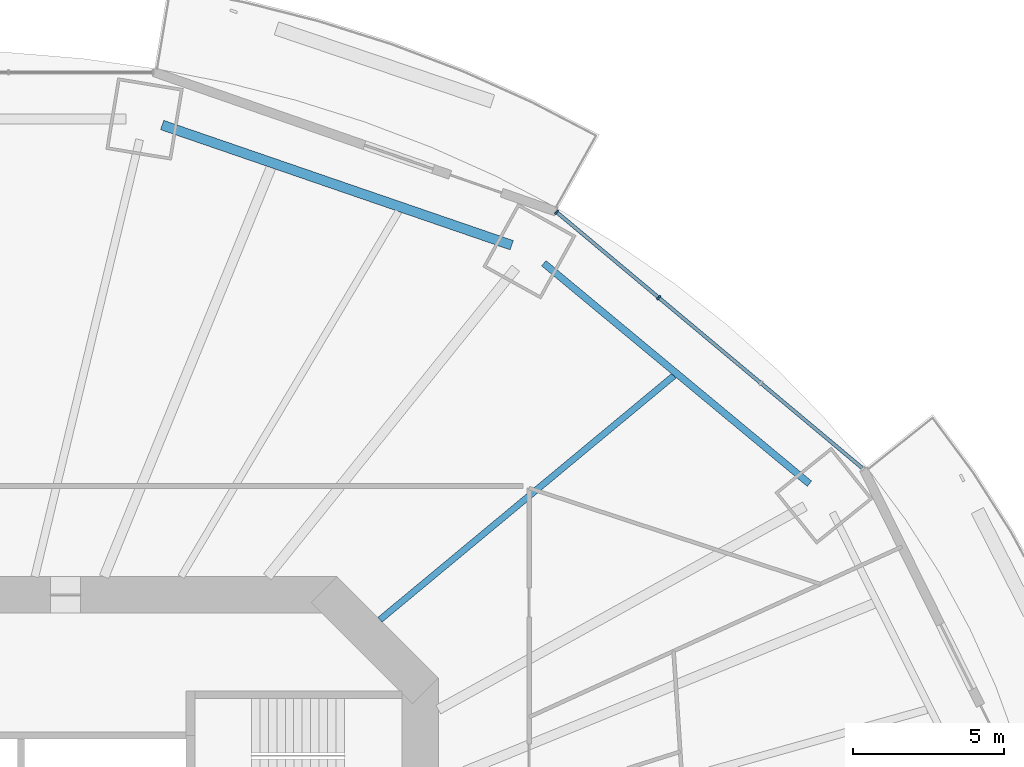
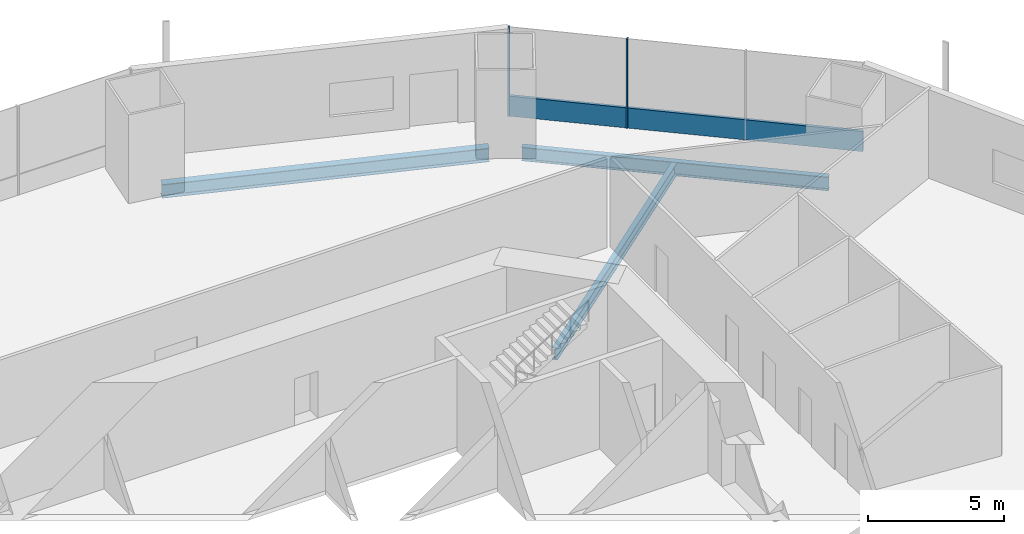
# One storey, part 10 of 23: 3 beams, 3 members, 1 element without a shape of its own.
"""IFC4 building model written with IfcOpenShell, lengths in metres."""

from ifc_helpers import new_model, si_unit, direction, frame, origin, origin_2d, place, context, subcontext, project, spatial, rectangle, i_section, extrude, material, material_profile, profile_set, type_object, element, aggregate, save


model = new_model("IFC4")

# Units and contexts
model_context = context("Model", 3, precision=1e-05, world=origin(), true_north=direction((0.0, 1.0)))
body_context = subcontext(model_context, "Body", "Model", "MODEL_VIEW")
ifc_project = project(units=[si_unit("LENGTHUNIT", "METRE"), si_unit("AREAUNIT", "SQUARE_METRE"), si_unit("VOLUMEUNIT", "CUBIC_METRE"), si_unit("PLANEANGLEUNIT", "RADIAN"), si_unit("MASSUNIT", "GRAM", prefix="KILO")], contexts=[model_context])

# Site, building, storey
site_placement = place(None, origin())
site = spatial("IfcSite", under=ifc_project, at=site_placement, CompositionType="ELEMENT")
building_placement = place(site_placement, origin())
building = spatial("IfcBuilding", under=site, at=building_placement, Name="Marenthal Gate Tower", CompositionType="ELEMENT")
storey_placement = place(building_placement, frame((0.0, 0.0, 37.14990234375)))
storey = spatial("IfcBuildingStorey", under=building, at=storey_placement, Name="L05", CompositionType="ELEMENT", Elevation=37.14990234375)

# Curtain wall, members
ifc_material_1 = material(Name="Aluminium and glass", Category="aluminium")
curtain_wall_type = type_object("IfcCurtainWallType", Name="Curtain wall typical low", PredefinedType="NOTDEFINED", material=ifc_material_1)
curtain_wall_placement = place(storey_placement, origin())
curtain_wall = element("IfcCurtainWall", 1, at=curtain_wall_placement, inside=storey, type_object=curtain_wall_type, Name="Curtain wall L05 bay 2", PredefinedType="NOTDEFINED")
ifc_material_2 = material(Name="Aluminium", Category="aluminium")
ifc_material_profile_1 = material_profile(ifc_material_2, rectangle(XDim=0.159912109375, YDim=0.06005859375, at=origin_2d()), Name="60x160 aluminium mullion")
ifc_profile_set_1 = profile_set([ifc_material_profile_1], Name="Aluminium")
member_type_1 = type_object("IfcMemberType", Name="Mullion 60x160 typical low", PredefinedType="MULLION", material=ifc_profile_set_1)
member_1_placement = place(storey_placement, frame((23.888671875, 22.829345703125, 0.0), z_axis=(0.0, 0.0, 1.0), x_axis=(-0.641982192245, -0.76671954771, 0.0)))
member_1 = element("IfcMember", 2, at=member_1_placement, type_object=member_type_1, Name="Mullion L05 bay 2.3", PredefinedType="MULLION", context=body_context, shape_type="SweptSolid", body=[
    extrude(rectangle(XDim=0.159912109375, YDim=0.06005859375, at=origin_2d()), origin(), (0.0, 0.0, 1.0), 3.97021484375),
])
member_2_placement = place(storey_placement, frame((20.512451171875, 25.656494140625, 0.0), z_axis=(0.0, 0.0, 1.0), x_axis=(-0.641982192245, -0.76671954771, 0.0)))
member_2 = element("IfcMember", 3, at=member_2_placement, type_object=member_type_1, Name="Mullion L05 bay 2.4", PredefinedType="MULLION", context=body_context, shape_type="SweptSolid", body=[
    extrude(rectangle(XDim=0.159912109375, YDim=0.06005859375, at=origin_2d()), origin(), (0.0, 0.0, 1.0), 3.97021484375),
])
ifc_material_3 = material(Name="Aluminium", Category="aluminium")
ifc_material_profile_2 = material_profile(ifc_material_3, rectangle(XDim=0.1201171875, YDim=0.89990234375, at=origin_2d()), Name="120x900 aluminium transom")
ifc_profile_set_2 = profile_set([ifc_material_profile_2], Name="Aluminium")
member_type_2 = type_object("IfcMemberType", Name="Transom 120x900 typical low", PredefinedType="USERDEFINED", material=ifc_profile_set_2)
member_3_placement = place(storey_placement, frame((30.61865234375, 17.194580078125, 0.4501953125), z_axis=(-0.766726434385, 0.641973967397, 0.0), x_axis=(-0.641973967397, -0.766726434385, 0.0)))
member_3 = element("IfcMember", 4, at=member_3_placement, type_object=member_type_2, Name="Transom L05 bay 2", ObjectType="TRANSOM", PredefinedType="USERDEFINED", context=body_context, shape_type="SweptSolid", body=[
    extrude(rectangle(XDim=0.1201171875, YDim=0.89990234375, at=origin_2d()), origin(), (0.0, 0.0, 1.0), 13.151123046875),
])
aggregate(curtain_wall, [member_1, member_2, member_3])

# Beams
ifc_material_4 = material(Name="Steel S355", Category="steel")
ifc_material_profile_3 = material_profile(ifc_material_4, i_section(OverallWidth=0.2119140625, OverallDepth=0.5439453125, WebThickness=0.01318359375, FlangeThickness=0.021240234375, FilletRadius=0.0126953125, at=origin_2d()), Name="W530X123")
ifc_profile_set_3 = profile_set([ifc_material_profile_3], Name="Steel S355")
beam_type_1 = type_object("IfcBeamType", Name="W530X123 beam", PredefinedType="BEAM", material=ifc_profile_set_3)
beam_1_placement = place(storey_placement, frame((24.3916015625, 20.245849609375, -0.451904296875), z_axis=(-0.769466511284, -0.638687159737, 0.0), x_axis=(0.638687159737, -0.769466511284, 0.0)))
element("IfcBeam", 5, at=beam_1_placement, inside=storey, type_object=beam_type_1, Name="BM-L05-19", PredefinedType="BEAM", context=body_context, shape_type="SweptSolid", body=[
    extrude(i_section(OverallWidth=0.2119140625, OverallDepth=0.5439453125, WebThickness=0.01318359375, FlangeThickness=0.021240234375, FilletRadius=0.0126953125, at=origin_2d()), origin(), (0.0, 0.0, 1.0), 12.6328125),
])
ifc_material_5 = material(Name="Steel S355", Category="steel")
ifc_material_profile_4 = material_profile(ifc_material_5, i_section(OverallWidth=0.22900390625, OverallDepth=0.612060546875, WebThickness=0.011962890625, FlangeThickness=0.01953125, FilletRadius=0.0126953125, at=origin_2d()), Name="W610X125")
ifc_profile_set_4 = profile_set([ifc_material_profile_4], Name="Steel S355")
beam_type_2 = type_object("IfcBeamType", Name="W610X125 beam", PredefinedType="BEAM", material=ifc_profile_set_4)
beam_2_placement = place(storey_placement, frame((28.871826171875, 16.67578125, -0.48583984375), z_axis=(-0.769467989353, 0.63868537901, 0.0), x_axis=(-0.63868537901, -0.769467989353, 0.0)))
element("IfcBeam", 6, at=beam_2_placement, inside=storey, type_object=beam_type_2, Name="BM-L05-42", PredefinedType="BEAM", context=body_context, shape_type="SweptSolid", body=[
    extrude(i_section(OverallWidth=0.22900390625, OverallDepth=0.612060546875, WebThickness=0.011962890625, FlangeThickness=0.01953125, FilletRadius=0.0126953125, at=origin_2d()), origin(), (0.0, 0.0, 1.0), 11.415283203125),
])
ifc_material_6 = material(Name="Steel S355", Category="steel")
ifc_material_profile_5 = material_profile(ifc_material_6, i_section(OverallWidth=0.324951171875, OverallDepth=0.612060546875, WebThickness=0.0126953125, FlangeThickness=0.01904296875, FilletRadius=0.0126953125, at=origin_2d()), Name="W610X155")
ifc_profile_set_5 = profile_set([ifc_material_profile_5], Name="Steel S355")
beam_type_3 = type_object("IfcBeamType", Name="W610X155 beam", PredefinedType="BEAM", material=ifc_profile_set_5)
beam_3_placement = place(storey_placement, frame((19.028076171875, 24.562744140625, -0.48583984375), z_axis=(-0.945669328234, 0.325130007287, 0.0), x_axis=(-0.325130007287, -0.945669328234, 0.0)))
element("IfcBeam", 7, at=beam_3_placement, inside=storey, type_object=beam_type_3, Name="BM-L05-43", PredefinedType="BEAM", context=body_context, shape_type="SweptSolid", body=[
    extrude(i_section(OverallWidth=0.324951171875, OverallDepth=0.612060546875, WebThickness=0.0126953125, FlangeThickness=0.01904296875, FilletRadius=0.0126953125, at=origin_2d()), origin(), (0.0, 0.0, 1.0), 12.22314453125),
])

save(model, "model.ifc")
